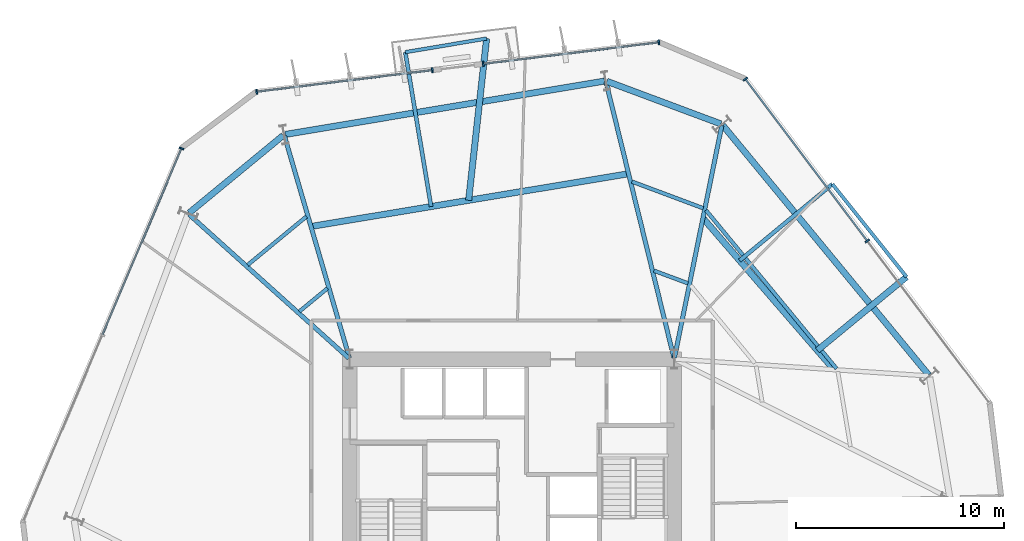
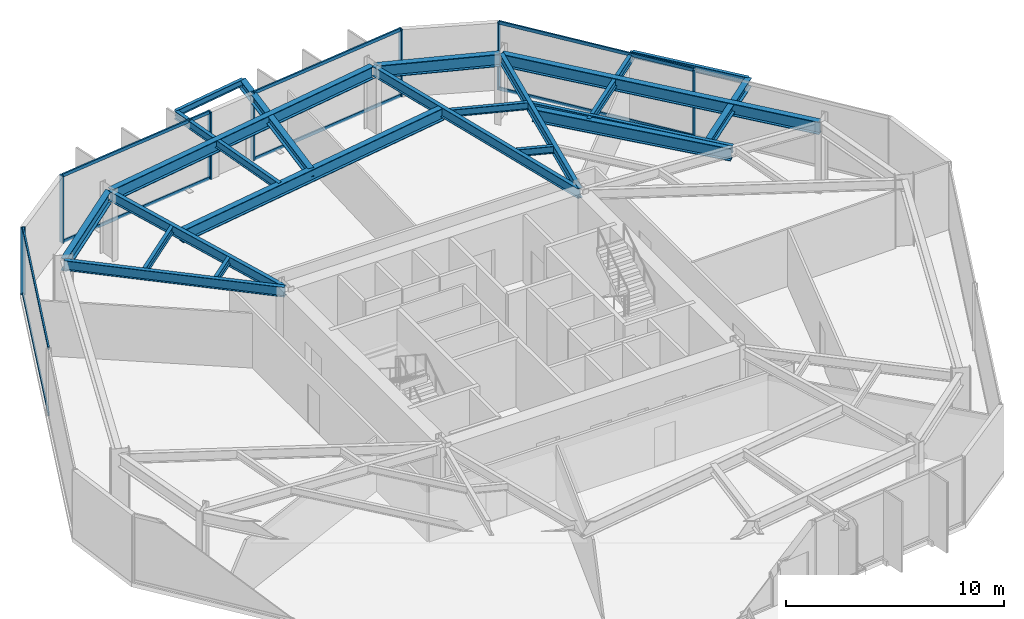
# One storey, part 5 of 11: 21 beams, 15 members, 4 elements without a shape of their own.
"""IFC4 building model written with IfcOpenShell, lengths in metres."""

from ifc_helpers import new_model, si_unit, direction, frame, origin, origin_2d, place, context, subcontext, project, spatial, rectangle, i_section, extrude, material, layer, layer_set, material_profile, profile_set, type_object, element, aggregate, save


model = new_model("IFC4")

# Units and contexts
model_context = context("Model", 3, precision=1e-05, world=origin(), true_north=direction((0.0, 1.0)))
body_context = subcontext(model_context, "Body", "Model", "MODEL_VIEW")
ifc_project = project(units=[si_unit("LENGTHUNIT", "METRE"), si_unit("AREAUNIT", "SQUARE_METRE"), si_unit("VOLUMEUNIT", "CUBIC_METRE"), si_unit("PLANEANGLEUNIT", "RADIAN"), si_unit("MASSUNIT", "GRAM", prefix="KILO")], contexts=[model_context])

# Site, building, storey
site_placement = place(None, origin())
site = spatial("IfcSite", under=ifc_project, at=site_placement, CompositionType="ELEMENT")
building_placement = place(site_placement, origin())
building = spatial("IfcBuilding", under=site, at=building_placement, Name="Kranzbogen Civic Tower", CompositionType="ELEMENT")
storey_placement = place(building_placement, frame((0.0, 0.0, 48.0)))
storey = spatial("IfcBuildingStorey", under=building, at=storey_placement, Name="L11", CompositionType="ELEMENT", Elevation=48.0)

# Beams
ifc_material_1 = material(Name="Steel S355", Category="steel")
ifc_material_profile_1 = material_profile(ifc_material_1, i_section(OverallWidth=0.18994140625, OverallDepth=0.449951171875, WebThickness=0.009521484375, FlangeThickness=0.0146484375, at=origin_2d()), Name="IPE 450")
ifc_profile_set_1 = profile_set([ifc_material_profile_1], Name="Steel S355")
beam_type_1 = type_object("IfcBeamType", Name="Braced Terrace Edge Beam IPE 450", PredefinedType="BEAM", material=ifc_profile_set_1)
beam_1_placement = place(storey_placement, frame((21.110107421875, 39.532958984375, 3.52490234375), z_axis=(-0.165067088303, 0.986282341097, 0.0), x_axis=(-0.986282341097, -0.165067088303, 0.0)))
element("IfcBeam", 1, at=beam_1_placement, inside=storey, type_object=beam_type_1, Name="L12 back-spanned terrace beam L12-TB1-2", PredefinedType="BEAM", context=body_context, shape_type="SweptSolid", body=[
    extrude(i_section(OverallWidth=0.18994140625, OverallDepth=0.449951171875, WebThickness=0.009521484375, FlangeThickness=0.0146484375, at=origin_2d()), origin(), (0.0, 0.0, 1.0), 7.525390625),
])
beam_2_placement = place(storey_placement, frame((35.945068359375, 36.93701171875, 3.4951171875), z_axis=(0.771611774137, 0.636093758822, 0.0), x_axis=(-0.636093758822, 0.771611774137, 0.0)))
element("IfcBeam", 2, at=beam_2_placement, inside=storey, type_object=beam_type_1, Name="L12 back-spanned terrace beam L12-ST-2", PredefinedType="BEAM", context=body_context, shape_type="SweptSolid", body=[
    extrude(i_section(OverallWidth=0.18994140625, OverallDepth=0.449951171875, WebThickness=0.009521484375, FlangeThickness=0.0146484375, at=origin_2d()), origin(), (0.0, 0.0, 1.0), 5.777587890625),
])

# Curtain wall, members
ifc_material_2 = material(Name="Pale Anodised Aluminium", Category="aluminium")
ifc_layer = layer(ifc_material_2, 0.219970703125, Name="Pale Anodised Aluminium")
ifc_layer_set = layer_set([ifc_layer], Name="Pale Anodised Aluminium")
curtain_wall_type = type_object("IfcCurtainWallType", Name="Zone 1 Stick Curtain Wall System CW-02", PredefinedType="USERDEFINED", material=ifc_layer_set)
curtain_wall_1_placement = place(storey_placement, origin())
curtain_wall_1 = element("IfcCurtainWall", 3, at=curtain_wall_1_placement, inside=storey, type_object=curtain_wall_type, Name="L11 curtain wall CW-L11-F1", ObjectType="STICK CURTAIN WALL", PredefinedType="USERDEFINED")
ifc_material_profile_2 = material_profile(ifc_material_2, rectangle(XDim=0.080078125, YDim=0.239990234375, at=origin_2d()), Name="ALU-M 80x240")
ifc_profile_set_2 = profile_set([ifc_material_profile_2], Name="Pale Anodised Aluminium")
member_type_1 = type_object("IfcMemberType", Name="Curtain Wall Mullion ALU-M 80x240", PredefinedType="MULLION", material=ifc_profile_set_2)
member_1_placement = place(storey_placement, frame((42.08837890625, 37.87744140625, 0.0), z_axis=(0.0, 0.0, 1.0), x_axis=(-0.601824225047, 0.798628575839, 0.0)))
member_1 = element("IfcMember", 4, at=member_1_placement, type_object=member_type_1, Name="CW-02 mullion 2", PredefinedType="MULLION", context=body_context, shape_type="SweptSolid", body=[
    extrude(rectangle(XDim=0.080078125, YDim=0.239990234375, at=origin_2d()), origin(), (0.0, 0.0, 1.0), 3.760009765625),
])
member_2_placement = place(storey_placement, frame((36.22607421875, 45.656982421875, 0.0), z_axis=(0.0, 0.0, 1.0), x_axis=(-0.601824225047, 0.798628575839, 0.0)))
member_2 = element("IfcMember", 5, at=member_2_placement, type_object=member_type_1, Name="CW-02 mullion 3", PredefinedType="MULLION", context=body_context, shape_type="SweptSolid", body=[
    extrude(rectangle(XDim=0.080078125, YDim=0.239990234375, at=origin_2d()), origin(), (0.0, 0.0, 1.0), 3.760009765625),
])

curtain_wall_2_placement = place(storey_placement, origin())
curtain_wall_2 = element("IfcCurtainWall", 6, at=curtain_wall_2_placement, inside=storey, type_object=curtain_wall_type, Name="L11 curtain wall CW-L11-F2-S1", ObjectType="STICK CURTAIN WALL", PredefinedType="USERDEFINED")
member_3_placement = place(storey_placement, frame((32.061279296875, 47.42529296875, 0.0), z_axis=(0.0, 0.0, 1.0), x_axis=(-0.992555336015, -0.121794519367, 0.0)))
member_3 = element("IfcMember", 7, at=member_3_placement, type_object=member_type_1, Name="CW-02 mullion 1", PredefinedType="MULLION", context=body_context, shape_type="SweptSolid", body=[
    extrude(rectangle(XDim=0.080078125, YDim=0.239990234375, at=origin_2d()), origin(), (0.0, 0.0, 1.0), 3.760009765625),
])
member_4_placement = place(storey_placement, frame((23.61279296875, 46.388671875, 0.0), z_axis=(0.0, 0.0, 1.0), x_axis=(-0.992555336015, -0.121794519367, 0.0)))
member_4 = element("IfcMember", 8, at=member_4_placement, type_object=member_type_1, Name="CW-02 mullion 2", PredefinedType="MULLION", context=body_context, shape_type="SweptSolid", body=[
    extrude(rectangle(XDim=0.080078125, YDim=0.239990234375, at=origin_2d()), origin(), (0.0, 0.0, 1.0), 3.760009765625),
])

curtain_wall_3_placement = place(storey_placement, origin())
curtain_wall_3 = element("IfcCurtainWall", 9, at=curtain_wall_3_placement, inside=storey, type_object=curtain_wall_type, Name="L11 curtain wall CW-L11-F2-S2", ObjectType="STICK CURTAIN WALL", PredefinedType="USERDEFINED")
member_5_placement = place(storey_placement, frame((21.171142578125, 46.08837890625, 0.0), z_axis=(0.0, 0.0, 1.0), x_axis=(-0.99255360517, -0.121808623929, 0.0)))
member_5 = element("IfcMember", 10, at=member_5_placement, type_object=member_type_1, Name="CW-02 mullion 1", PredefinedType="MULLION", context=body_context, shape_type="SweptSolid", body=[
    extrude(rectangle(XDim=0.080078125, YDim=0.239990234375, at=origin_2d()), origin(), (0.0, 0.0, 1.0), 3.760009765625),
])
member_6_placement = place(storey_placement, frame((12.723876953125, 45.0517578125, 0.0), z_axis=(0.0, 0.0, 1.0), x_axis=(-0.99255360517, -0.121808623929, 0.0)))
member_6 = element("IfcMember", 11, at=member_6_placement, type_object=member_type_1, Name="CW-02 mullion 2", PredefinedType="MULLION", context=body_context, shape_type="SweptSolid", body=[
    extrude(rectangle(XDim=0.080078125, YDim=0.239990234375, at=origin_2d()), origin(), (0.0, 0.0, 1.0), 3.760009765625),
])

# Curtain wall, member
curtain_wall_4_placement = place(storey_placement, origin())
curtain_wall_4 = element("IfcCurtainWall", 12, at=curtain_wall_4_placement, inside=storey, type_object=curtain_wall_type, Name="L11 curtain wall CW-L11-F3", ObjectType="STICK CURTAIN WALL", PredefinedType="USERDEFINED")
member_7_placement = place(storey_placement, frame((9.1103515625, 42.327392578125, 0.0), z_axis=(0.0, 0.0, 1.0), x_axis=(-0.390779797784, -0.920484193044, 0.0)))
member_7 = element("IfcMember", 13, at=member_7_placement, type_object=member_type_1, Name="CW-02 mullion 1", PredefinedType="MULLION", context=body_context, shape_type="SweptSolid", body=[
    extrude(rectangle(XDim=0.080078125, YDim=0.239990234375, at=origin_2d()), origin(), (0.0, 0.0, 1.0), 3.760009765625),
])

# Member
ifc_material_profile_3 = material_profile(ifc_material_2, rectangle(XDim=0.080078125, YDim=0.179931640625, at=origin_2d()), Name="ALU-T 80x180")
ifc_profile_set_3 = profile_set([ifc_material_profile_3], Name="Pale Anodised Aluminium")
member_type_2 = type_object("IfcMemberType", Name="Curtain Wall Transom ALU-T 80x180", PredefinedType="USERDEFINED", material=ifc_profile_set_3)
member_8_placement = place(storey_placement, frame((42.070556640625, 37.9013671875, 0.030029296875), z_axis=(-0.601826230551, 0.798627064543, 0.0), x_axis=(-0.798627064543, -0.601826230551, 0.0)))
member_8 = element("IfcMember", 14, at=member_8_placement, type_object=member_type_2, Name="CW-02 transom 2.1", ObjectType="TRANSOM", PredefinedType="USERDEFINED", context=body_context, shape_type="SweptSolid", body=[
    extrude(rectangle(XDim=0.080078125, YDim=0.179931640625, at=origin_2d()), origin(), (0.0, 0.0, 1.0), 9.68115234375),
])

member_9_placement = place(storey_placement, frame((42.070556640625, 37.9013671875, 3.72998046875), z_axis=(-0.601826230551, 0.798627064543, 0.0), x_axis=(-0.798627064543, -0.601826230551, 0.0)))
member_9 = element("IfcMember", 15, at=member_9_placement, type_object=member_type_2, Name="CW-02 transom 2.2", ObjectType="TRANSOM", PredefinedType="USERDEFINED", context=body_context, shape_type="SweptSolid", body=[
    extrude(rectangle(XDim=0.080078125, YDim=0.179931640625, at=origin_2d()), origin(), (0.0, 0.0, 1.0), 9.68115234375),
])

aggregate(curtain_wall_1, [member_1, member_2, member_8, member_9])

member_10_placement = place(storey_placement, frame((32.031494140625, 47.421630859375, 0.030029296875), z_axis=(-0.992556631292, -0.121783963142, 0.0), x_axis=(0.121783963142, -0.992556631292, 0.0)))
member_10 = element("IfcMember", 16, at=member_10_placement, type_object=member_type_2, Name="CW-02 transom 1.1", ObjectType="TRANSOM", PredefinedType="USERDEFINED", context=body_context, shape_type="SweptSolid", body=[
    extrude(rectangle(XDim=0.080078125, YDim=0.179931640625, at=origin_2d()), origin(), (0.0, 0.0, 1.0), 8.451904296875),
])

member_11_placement = place(storey_placement, frame((32.031494140625, 47.421630859375, 3.72998046875), z_axis=(-0.992556631292, -0.121783963142, 0.0), x_axis=(0.121783963142, -0.992556631292, 0.0)))
member_11 = element("IfcMember", 17, at=member_11_placement, type_object=member_type_2, Name="CW-02 transom 1.2", ObjectType="TRANSOM", PredefinedType="USERDEFINED", context=body_context, shape_type="SweptSolid", body=[
    extrude(rectangle(XDim=0.080078125, YDim=0.179931640625, at=origin_2d()), origin(), (0.0, 0.0, 1.0), 8.451904296875),
])

aggregate(curtain_wall_2, [member_3, member_4, member_10, member_11])

member_12_placement = place(storey_placement, frame((21.141357421875, 46.084716796875, 0.030029296875), z_axis=(-0.992554488731, -0.121801424045, 0.0), x_axis=(0.121801424045, -0.992554488731, 0.0)))
member_12 = element("IfcMember", 18, at=member_12_placement, type_object=member_type_2, Name="CW-02 transom 1.1", ObjectType="TRANSOM", PredefinedType="USERDEFINED", context=body_context, shape_type="SweptSolid", body=[
    extrude(rectangle(XDim=0.080078125, YDim=0.179931640625, at=origin_2d()), origin(), (0.0, 0.0, 1.0), 8.45068359375),
])

member_13_placement = place(storey_placement, frame((21.141357421875, 46.084716796875, 3.72998046875), z_axis=(-0.992554488731, -0.121801424045, 0.0), x_axis=(0.121801424045, -0.992554488731, 0.0)))
member_13 = element("IfcMember", 19, at=member_13_placement, type_object=member_type_2, Name="CW-02 transom 1.2", ObjectType="TRANSOM", PredefinedType="USERDEFINED", context=body_context, shape_type="SweptSolid", body=[
    extrude(rectangle(XDim=0.080078125, YDim=0.179931640625, at=origin_2d()), origin(), (0.0, 0.0, 1.0), 8.45068359375),
])

aggregate(curtain_wall_3, [member_5, member_6, member_12, member_13])

member_14_placement = place(storey_placement, frame((9.0986328125, 42.2998046875, 0.030029296875), z_axis=(-0.390791388948, -0.920479272077, 0.0), x_axis=(0.920479272077, -0.390791388948, 0.0)))
member_14 = element("IfcMember", 20, at=member_14_placement, type_object=member_type_2, Name="CW-02 transom 1.1", ObjectType="TRANSOM", PredefinedType="USERDEFINED", context=body_context, shape_type="SweptSolid", body=[
    extrude(rectangle(XDim=0.080078125, YDim=0.179931640625, at=origin_2d()), origin(), (0.0, 0.0, 1.0), 9.681396484375),
])

member_15_placement = place(storey_placement, frame((9.0986328125, 42.2998046875, 3.72998046875), z_axis=(-0.390791388948, -0.920479272077, 0.0), x_axis=(0.920479272077, -0.390791388948, 0.0)))
member_15 = element("IfcMember", 21, at=member_15_placement, type_object=member_type_2, Name="CW-02 transom 1.2", ObjectType="TRANSOM", PredefinedType="USERDEFINED", context=body_context, shape_type="SweptSolid", body=[
    extrude(rectangle(XDim=0.080078125, YDim=0.179931640625, at=origin_2d()), origin(), (0.0, 0.0, 1.0), 9.681396484375),
])

aggregate(curtain_wall_4, [member_7, member_14, member_15])

# Beams
ifc_material_profile_4 = material_profile(ifc_material_1, i_section(OverallWidth=0.300048828125, OverallDepth=0.5, WebThickness=0.014404296875, FlangeThickness=0.028076171875, at=origin_2d()), Name="HEB 500")
ifc_profile_set_4 = profile_set([ifc_material_profile_4], Name="Steel S355")
beam_type_2 = type_object("IfcBeamType", Name="Perimeter Tube Spandrel Beam HEB 500", PredefinedType="SPANDREL", material=ifc_profile_set_4)
beam_3_placement = place(storey_placement, frame((22.916015625, 39.8330078125, 3.5), z_axis=(0.110157594547, 0.993914133295, 0.0), x_axis=(-0.993914133295, 0.110157594547, 0.0)))
element("IfcBeam", 22, at=beam_3_placement, inside=storey, type_object=beam_type_2, Name="L12 back-spanned terrace beam L12-TB1-1", PredefinedType="SPANDREL", context=body_context, shape_type="SweptSolid", body=[
    extrude(i_section(OverallWidth=0.300048828125, OverallDepth=0.5, WebThickness=0.014404296875, FlangeThickness=0.028076171875, at=origin_2d()), origin(), (0.0, 0.0, 1.0), 7.82568359375),
])
beam_4_placement = place(storey_placement, frame((39.680908203125, 32.615966796875, 3.469970703125), z_axis=(0.771632065898, 0.636069143159, 0.0), x_axis=(-0.636069143159, 0.771632065898, 0.0)))
element("IfcBeam", 23, at=beam_4_placement, inside=storey, type_object=beam_type_2, Name="L12 back-spanned terrace beam L12-ST-1", PredefinedType="SPANDREL", context=body_context, shape_type="SweptSolid", body=[
    extrude(i_section(OverallWidth=0.300048828125, OverallDepth=0.5, WebThickness=0.014404296875, FlangeThickness=0.028076171875, at=origin_2d()), origin(), (0.0, 0.0, 1.0), 5.555908203125),
])
ifc_material_profile_5 = material_profile(ifc_material_1, i_section(OverallWidth=0.300048828125, OverallDepth=0.699951171875, WebThickness=0.01708984375, FlangeThickness=0.031982421875, at=origin_2d()), Name="HEB 700")
ifc_profile_set_5 = profile_set([ifc_material_profile_5], Name="Steel S355")
beam_type_3 = type_object("IfcBeamType", Name="Perimeter Tube Spandrel Beam HEB 700", PredefinedType="SPANDREL", material=ifc_profile_set_5)
beam_5_placement = place(storey_placement, frame((45.033935546875, 31.431884765625, 3.409912109375), z_axis=(-0.636074572579, 0.771627590304, 0.0), x_axis=(-0.771627590304, -0.636074572579, 0.0)))
element("IfcBeam", 24, at=beam_5_placement, inside=storey, type_object=beam_type_3, Name="L11 perimeter spandrel beam 08", PredefinedType="SPANDREL", context=body_context, shape_type="SweptSolid", body=[
    extrude(i_section(OverallWidth=0.300048828125, OverallDepth=0.699951171875, WebThickness=0.01708984375, FlangeThickness=0.031982421875, at=origin_2d()), origin(), (0.0, 0.0, 1.0), 15.5595703125),
])
beam_6_placement = place(storey_placement, frame((35.04296875, 43.5048828125, 3.409912109375), z_axis=(-0.936647646965, 0.350273015568, 0.0), x_axis=(-0.350273015568, -0.936647646965, 0.0)))
element("IfcBeam", 25, at=beam_6_placement, inside=storey, type_object=beam_type_3, Name="L11 perimeter spandrel beam 09", PredefinedType="SPANDREL", context=body_context, shape_type="SweptSolid", body=[
    extrude(i_section(OverallWidth=0.300048828125, OverallDepth=0.699951171875, WebThickness=0.01708984375, FlangeThickness=0.031982421875, at=origin_2d()), origin(), (0.0, 0.0, 1.0), 5.852783203125),
])
beam_7_placement = place(storey_placement, frame((29.446044921875, 45.56591796875, 3.409912109375), z_axis=(-0.986285563243, -0.165047834697, 0.0), x_axis=(0.165047834697, -0.986285563243, 0.0)))
element("IfcBeam", 26, at=beam_7_placement, inside=storey, type_object=beam_type_3, Name="L11 perimeter spandrel beam 10", PredefinedType="SPANDREL", context=body_context, shape_type="SweptSolid", body=[
    extrude(i_section(OverallWidth=0.300048828125, OverallDepth=0.699951171875, WebThickness=0.01708984375, FlangeThickness=0.031982421875, at=origin_2d()), origin(), (0.0, 0.0, 1.0), 15.558349609375),
])
beam_8_placement = place(storey_placement, frame((13.99609375, 42.949951171875, 3.409912109375), z_axis=(-0.77168336865, -0.636006901337, 0.0), x_axis=(0.636006901337, -0.77168336865, 0.0)))
element("IfcBeam", 27, at=beam_8_placement, inside=storey, type_object=beam_type_3, Name="L11 perimeter spandrel beam 11", PredefinedType="SPANDREL", context=body_context, shape_type="SweptSolid", body=[
    extrude(i_section(OverallWidth=0.300048828125, OverallDepth=0.699951171875, WebThickness=0.01708984375, FlangeThickness=0.031982421875, at=origin_2d()), origin(), (0.0, 0.0, 1.0), 5.853515625),
])
beam_9_placement = place(storey_placement, frame((30.60498046875, 41.110107421875, 3.39990234375), z_axis=(-0.9864781902, -0.163892587571, 0.0), x_axis=(0.163892587571, -0.9864781902, 0.0)))
element("IfcBeam", 28, at=beam_9_placement, inside=storey, type_object=beam_type_3, Name="L12 balcony back-span header girder L12-TB1", PredefinedType="SPANDREL", context=body_context, shape_type="SweptSolid", body=[
    extrude(i_section(OverallWidth=0.300048828125, OverallDepth=0.699951171875, WebThickness=0.01708984375, FlangeThickness=0.031982421875, at=origin_2d()), origin(), (0.0, 0.0, 1.0), 15.480224609375),
])
beam_10_placement = place(storey_placement, frame((40.48193359375, 31.68994140625, 3.3701171875), z_axis=(-0.654072384898, 0.75643196344, 0.0), x_axis=(-0.75643196344, -0.654072384898, 0.0)))
element("IfcBeam", 29, at=beam_10_placement, inside=storey, type_object=beam_type_3, Name="L12 balcony back-span header girder L12-ST", PredefinedType="SPANDREL", context=body_context, shape_type="SweptSolid", body=[
    extrude(i_section(OverallWidth=0.300048828125, OverallDepth=0.699951171875, WebThickness=0.01708984375, FlangeThickness=0.031982421875, at=origin_2d()), origin(), (0.0, 0.0, 1.0), 9.633544921875),
])
ifc_material_profile_6 = material_profile(ifc_material_1, i_section(OverallWidth=0.2099609375, OverallDepth=0.550048828125, WebThickness=0.010986328125, FlangeThickness=0.01708984375, at=origin_2d()), Name="IPE 550")
ifc_profile_set_6 = profile_set([ifc_material_profile_6], Name="Steel S355")
beam_type_4 = type_object("IfcBeamType", Name="Radial Tower Floor Girder IPE 550", PredefinedType="BEAM", material=ifc_profile_set_6)
beam_11_placement = place(storey_placement, frame((35.0869140625, 43.425048828125, 3.485107421875), z_axis=(-0.199633433694, -0.979870650725, 0.0), x_axis=(0.979870650725, -0.199633433694, 0.0)))
element("IfcBeam", 30, at=beam_11_placement, inside=storey, type_object=beam_type_4, Name="L11 radial floor girder 09", PredefinedType="BEAM", context=body_context, shape_type="SweptSolid", body=[
    extrude(i_section(OverallWidth=0.2099609375, OverallDepth=0.550048828125, WebThickness=0.010986328125, FlangeThickness=0.01708984375, at=origin_2d()), origin(), (0.0, 0.0, 1.0), 11.3955078125),
])
beam_12_placement = place(storey_placement, frame((29.51904296875, 45.51806640625, 3.485107421875), z_axis=(0.239215348776, -0.970966537482, 0.0), x_axis=(0.970966537482, 0.239215348776, 0.0)))
element("IfcBeam", 31, at=beam_12_placement, inside=storey, type_object=beam_type_4, Name="L11 radial floor girder 10", PredefinedType="BEAM", context=body_context, shape_type="SweptSolid", body=[
    extrude(i_section(OverallWidth=0.2099609375, OverallDepth=0.550048828125, WebThickness=0.010986328125, FlangeThickness=0.01708984375, at=origin_2d()), origin(), (0.0, 0.0, 1.0), 13.656494140625),
])
beam_13_placement = place(storey_placement, frame((14.05908203125, 42.929931640625, 3.485107421875), z_axis=(0.280944131918, -0.959724124288, 0.0), x_axis=(0.959724124288, 0.280944131918, 0.0)))
element("IfcBeam", 32, at=beam_13_placement, inside=storey, type_object=beam_type_4, Name="L11 radial floor girder 11", PredefinedType="BEAM", context=body_context, shape_type="SweptSolid", body=[
    extrude(i_section(OverallWidth=0.2099609375, OverallDepth=0.550048828125, WebThickness=0.010986328125, FlangeThickness=0.01708984375, at=origin_2d()), origin(), (0.0, 0.0, 1.0), 11.11962890625),
])
beam_14_placement = place(storey_placement, frame((9.47802734375, 39.14892578125, 3.485107421875), z_axis=(0.743311776894, -0.668945141496, 0.0), x_axis=(0.668945141496, 0.743311776894, 0.0)))
element("IfcBeam", 33, at=beam_14_placement, inside=storey, type_object=beam_type_4, Name="L11 radial floor girder 12", PredefinedType="BEAM", context=body_context, shape_type="SweptSolid", body=[
    extrude(i_section(OverallWidth=0.2099609375, OverallDepth=0.550048828125, WebThickness=0.010986328125, FlangeThickness=0.01708984375, at=origin_2d()), origin(), (0.0, 0.0, 1.0), 10.328125),
])
ifc_material_profile_7 = material_profile(ifc_material_1, i_section(OverallWidth=0.169921875, OverallDepth=0.360107421875, WebThickness=0.008056640625, FlangeThickness=0.0126953125, at=origin_2d()), Name="IPE 360")
ifc_profile_set_7 = profile_set([ifc_material_profile_7], Name="Steel S355")
beam_type_5 = type_object("IfcBeamType", Name="Secondary Composite Floor Joist IPE 360", PredefinedType="JOIST", material=ifc_profile_set_7)
beam_15_placement = place(storey_placement, frame((23.778076171875, 47.611083984375, 3.570068359375), z_axis=(-0.986216946205, -0.165457351052, 0.0), x_axis=(0.165457351052, -0.986216946205, 0.0)))
element("IfcBeam", 34, at=beam_15_placement, inside=storey, type_object=beam_type_5, Name="L12 terrace outer edge trimmer L12-TB1", PredefinedType="JOIST", context=body_context, shape_type="SweptSolid", body=[
    extrude(i_section(OverallWidth=0.169921875, OverallDepth=0.360107421875, WebThickness=0.008056640625, FlangeThickness=0.0126953125, at=origin_2d()), origin(), (0.0, 0.0, 1.0), 3.96484375),
])
beam_16_placement = place(storey_placement, frame((43.968017578125, 36.14990234375, 3.5400390625), z_axis=(-0.624184041345, 0.781277340341, 0.0), x_axis=(-0.781277340341, -0.624184041345, 0.0)))
element("IfcBeam", 35, at=beam_16_placement, inside=storey, type_object=beam_type_5, Name="L12 terrace outer edge trimmer L12-ST", PredefinedType="JOIST", context=body_context, shape_type="SweptSolid", body=[
    extrude(i_section(OverallWidth=0.169921875, OverallDepth=0.360107421875, WebThickness=0.008056640625, FlangeThickness=0.0126953125, at=origin_2d()), origin(), (0.0, 0.0, 1.0), 5.71142578125),
])
ifc_material_profile_8 = material_profile(ifc_material_1, i_section(OverallWidth=0.179931640625, OverallDepth=0.39990234375, WebThickness=0.008544921875, FlangeThickness=0.013427734375, at=origin_2d()), Name="IPE 400")
ifc_profile_set_8 = profile_set([ifc_material_profile_8], Name="Steel S355")
beam_type_6 = type_object("IfcBeamType", Name="Secondary Composite Floor Joist IPE 400", PredefinedType="JOIST", material=ifc_profile_set_8)
beam_17_placement = place(storey_placement, frame((40.60302734375, 31.740966796875, 3.56005859375), z_axis=(-0.636094561772, 0.771611112209, 0.0), x_axis=(-0.771611112209, -0.636094561772, 0.0)))
element("IfcBeam", 36, at=beam_17_placement, inside=storey, type_object=beam_type_6, Name="L11 secondary floor joist 1.08", PredefinedType="JOIST", context=body_context, shape_type="SweptSolid", body=[
    extrude(i_section(OverallWidth=0.179931640625, OverallDepth=0.39990234375, WebThickness=0.008544921875, FlangeThickness=0.013427734375, at=origin_2d()), origin(), (0.0, 0.0, 1.0), 9.874267578125),
])
beam_18_placement = place(storey_placement, frame((34.196044921875, 39.449951171875, 3.56005859375), z_axis=(-0.936622008794, 0.350341565678, 0.0), x_axis=(-0.350341565678, -0.936622008794, 0.0)))
element("IfcBeam", 37, at=beam_18_placement, inside=storey, type_object=beam_type_6, Name="L11 secondary floor joist 1.09", PredefinedType="JOIST", context=body_context, shape_type="SweptSolid", body=[
    extrude(i_section(OverallWidth=0.179931640625, OverallDepth=0.39990234375, WebThickness=0.008544921875, FlangeThickness=0.013427734375, at=origin_2d()), origin(), (0.0, 0.0, 1.0), 3.662109375),
])
beam_19_placement = place(storey_placement, frame((33.4609375, 35.839111328125, 3.56005859375), z_axis=(-0.936735458815, 0.350038112495, 0.0), x_axis=(-0.350038112495, -0.936735458815, 0.0)))
element("IfcBeam", 38, at=beam_19_placement, inside=storey, type_object=beam_type_6, Name="L11 secondary floor joist 2.09", PredefinedType="JOIST", context=body_context, shape_type="SweptSolid", body=[
    extrude(i_section(OverallWidth=0.179931640625, OverallDepth=0.39990234375, WebThickness=0.008544921875, FlangeThickness=0.013427734375, at=origin_2d()), origin(), (0.0, 0.0, 1.0), 1.750732421875),
])
beam_20_placement = place(storey_placement, frame((15.116943359375, 39.052978515625, 3.56005859375), z_axis=(-0.771712720426, -0.635971286406, 0.0), x_axis=(0.635971286406, -0.771712720426, 0.0)))
element("IfcBeam", 39, at=beam_20_placement, inside=storey, type_object=beam_type_6, Name="L11 secondary floor joist 1.11", PredefinedType="JOIST", context=body_context, shape_type="SweptSolid", body=[
    extrude(i_section(OverallWidth=0.179931640625, OverallDepth=0.39990234375, WebThickness=0.008544921875, FlangeThickness=0.013427734375, at=origin_2d()), origin(), (0.0, 0.0, 1.0), 3.661865234375),
])
beam_21_placement = place(storey_placement, frame((16.1279296875, 35.60107421875, 3.56005859375), z_axis=(-0.771773324836, -0.635897739477, 0.0), x_axis=(0.635897739477, -0.771773324836, 0.0)))
element("IfcBeam", 40, at=beam_21_placement, inside=storey, type_object=beam_type_6, Name="L11 secondary floor joist 2.11", PredefinedType="JOIST", context=body_context, shape_type="SweptSolid", body=[
    extrude(i_section(OverallWidth=0.179931640625, OverallDepth=0.39990234375, WebThickness=0.008544921875, FlangeThickness=0.013427734375, at=origin_2d()), origin(), (0.0, 0.0, 1.0), 1.751953125),
])

save(model, "model.ifc")
